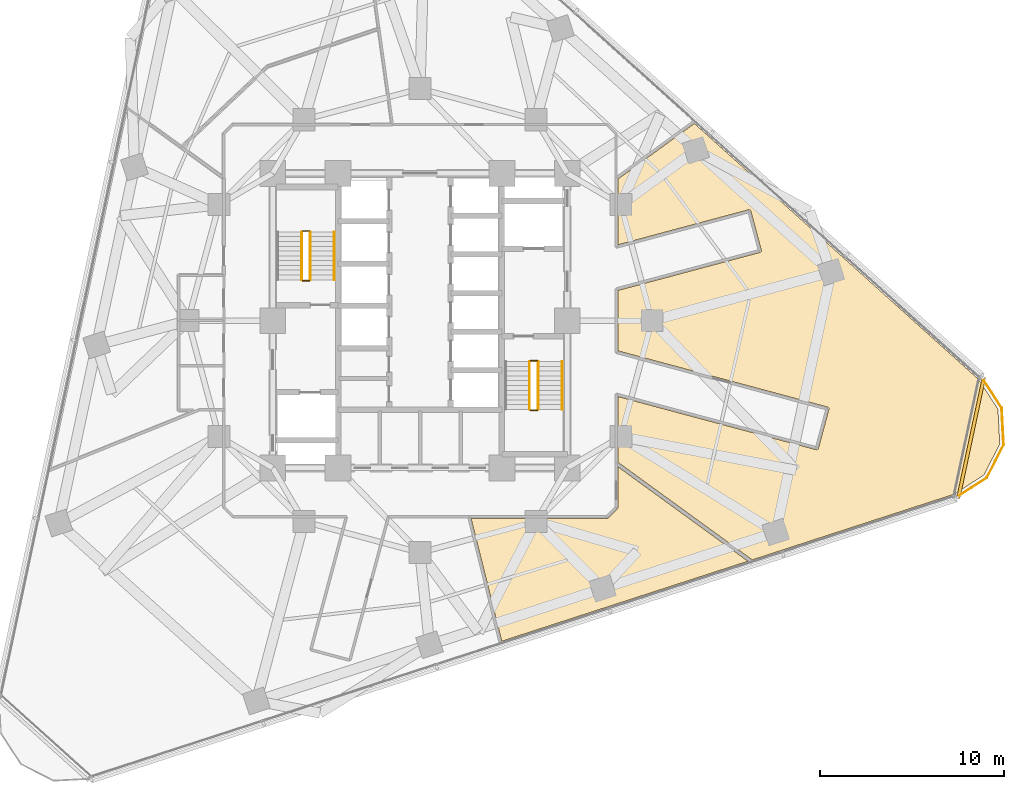
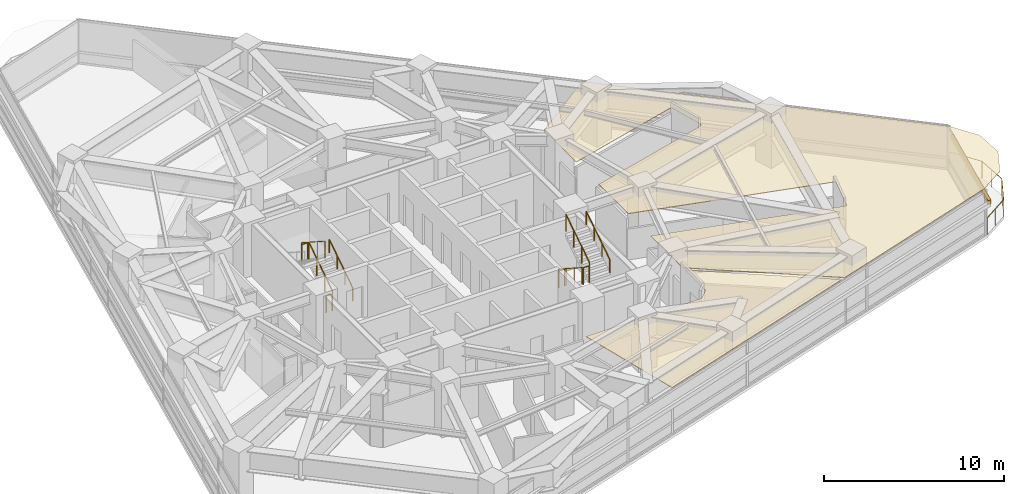
# One storey, part 13 of 14: 11 railings, 2 coverings, 1 shading device.
"""IFC4 building model written with IfcOpenShell, lengths in metres."""

from ifc_helpers import new_model, si_unit, direction, frame, origin, origin_2d, place, context, subcontext, project, spatial, polyline, rectangle, circle, outline, extrude, material, layer, layer_set, type_object, element, save


model = new_model("IFC4")

# Units and contexts
model_context = context("Model", 3, precision=1e-05, world=origin(), true_north=direction((0.0, 1.0)))
body_context = subcontext(model_context, "Body", "Model", "MODEL_VIEW")
ifc_project = project(units=[si_unit("LENGTHUNIT", "METRE"), si_unit("AREAUNIT", "SQUARE_METRE"), si_unit("VOLUMEUNIT", "CUBIC_METRE"), si_unit("PLANEANGLEUNIT", "RADIAN"), si_unit("MASSUNIT", "GRAM", prefix="KILO")], contexts=[model_context])

# Site, building, storey
site_placement = place(None, origin())
site = spatial("IfcSite", under=ifc_project, at=site_placement, CompositionType="ELEMENT")
building_placement = place(site_placement, origin())
building = spatial("IfcBuilding", under=site, at=building_placement, Name="Terralouvre Media Tower", CompositionType="ELEMENT")
storey_placement = place(building_placement, frame((0.0, 0.0, 116.199951171875)))
storey = spatial("IfcBuildingStorey", under=building, at=storey_placement, Name="L29", CompositionType="ELEMENT", Elevation=116.199951171875)

# Coverings
ifc_material_1 = material(Name="Perforated aluminium acoustic ceiling baffle", Category="aluminium")
ifc_layer_1 = layer(ifc_material_1, 0.0400390625, Name="Perforated Acoustic Metal Tile Ceiling CL-AC1")
ifc_layer_set_1 = layer_set([ifc_layer_1], Name="Perforated aluminium acoustic ceiling baffle")
covering_type = type_object("IfcCoveringType", Name="Perforated Acoustic Metal Tile Ceiling CL-AC1", PredefinedType="CEILING", material=ifc_layer_set_1)
covering_1_placement = place(storey_placement, frame((0.0, 0.0, 2.97998046875), z_axis=(0.0, 0.0, 1.0), x_axis=(0.951056516295, 0.309016994375, 0.0)))
element("IfcCovering", 1, at=covering_1_placement, inside=storey, type_object=covering_type, Name="L29 Syndication Desk Office 1 Acoustic Ceiling", PredefinedType="CEILING", context=body_context, shape_type="SweptSolid", body=[
    extrude(outline(polyline([(11.497802734375, 0.5986328125), (18.837158203125, 0.214111328125), (18.846923828125, 0.213134765625), (18.856689453125, 0.211181640625), (18.865966796875, 0.208251953125), (18.875, 0.204345703125), (18.8837890625, 0.19970703125), (18.891845703125, 0.1943359375), (18.8994140625, 0.18798828125), (18.90625, 0.18115234375), (18.91259765625, 0.173583984375), (18.91796875, 0.165283203125), (18.922607421875, 0.15673828125), (18.92626953125, 0.147705078125), (18.928955078125, 0.13818359375), (18.930908203125, 0.12841796875), (18.931884765625, 0.11865234375), (18.931884765625, 0.10888671875), (18.81640625, -2.087890625), (18.8154296875, -2.09765625), (18.8134765625, -2.107177734375), (18.810546875, -2.11669921875), (18.806640625, -2.125732421875), (18.802001953125, -2.13427734375), (18.796630859375, -2.142578125), (18.790283203125, -2.150146484375), (18.783447265625, -2.156982421875), (18.77587890625, -2.163330078125), (18.767578125, -2.16845703125), (18.759033203125, -2.173095703125), (18.75, -2.1767578125), (18.740478515625, -2.1796875), (18.730712890625, -2.181640625), (18.720947265625, -2.1826171875), (18.711181640625, -2.1826171875), (10.730224609375, -1.763916015625), (9.717529296875, -4.880126953125), (19.60791015625, -11.302734375), (19.61572265625, -11.30859375), (19.623046875, -11.31494140625), (19.6298828125, -11.322265625), (19.6357421875, -11.330078125), (19.640869140625, -11.33837890625), (19.645263671875, -11.34716796875), (19.648681640625, -11.3564453125), (19.651123046875, -11.36572265625), (19.65283203125, -11.37548828125), (19.6533203125, -11.38525390625), (19.653076171875, -11.39501953125), (19.651611328125, -11.40478515625), (19.6494140625, -11.414306640625), (19.646240234375, -11.423828125), (19.64208984375, -11.4326171875), (19.63720703125, -11.441162109375), (18.4384765625, -13.285888671875), (18.4326171875, -13.2939453125), (18.42626953125, -13.30126953125), (18.4189453125, -13.307861328125), (18.4111328125, -13.31396484375), (18.40283203125, -13.319091796875), (18.39404296875, -13.3232421875), (18.384765625, -13.32666015625), (18.37548828125, -13.329345703125), (18.36572265625, -13.330810546875), (18.35595703125, -13.33154296875), (18.34619140625, -13.3310546875), (18.33642578125, -13.329833984375), (18.326904296875, -13.327392578125), (18.317626953125, -13.324462890625), (18.30859375, -13.3203125), (18.300048828125, -13.3154296875), (8.949951171875, -7.242431640625), (7.848388671875, -10.6328125), (13.152099609375, -17.93212890625), (24.690673828125, -17.932373046875), (26.546630859375, -17.435302734375), (27.882568359375, -16.0986328125), (28.371826171875, -14.27197265625), (27.87548828125, -12.417236328125), (17.486572265625, 5.576904296875), (12.599365234375, 3.98876953125), (11.497802734375, 0.5986328125)])), origin(), (0.0, 0.0, 1.0), 0.0400390625),
])
covering_2_placement = place(storey_placement, frame((0.0, 0.0, 2.97998046875), z_axis=(0.0, 0.0, 1.0), x_axis=(0.951056516295, 0.309016994375, 0.0)))
element("IfcCovering", 2, at=covering_2_placement, inside=storey, type_object=covering_type, Name="L29 Media Club Panoramic Lounge 3 Acoustic Ceiling", PredefinedType="CEILING", context=body_context, shape_type="SweptSolid", body=[
    extrude(outline(polyline([(7.08740234375, -12.97509765625), (7.083740234375, -12.984375), (7.07958984375, -12.9931640625), (7.07421875, -13.00146484375), (7.068359375, -13.00927734375), (7.0615234375, -13.016357421875), (7.05419921875, -13.022705078125), (7.046142578125, -13.0283203125), (7.03759765625, -13.033447265625), (6.407470703125, -13.354248046875), (6.398681640625, -13.3583984375), (6.389404296875, -13.361572265625), (6.379638671875, -13.36376953125), (6.3701171875, -13.364990234375), (6.360107421875, -13.365234375), (6.350341796875, -13.364501953125), (6.3408203125, -13.363037109375), (6.331298828125, -13.3603515625), (-0.675048828125, -11.083740234375), (-1.153564453125, -17.931884765625), (12.90478515625, -17.931884765625), (7.77197265625, -10.867919921875), (7.08740234375, -12.97509765625)])), origin(), (0.0, 0.0, 1.0), 0.0400390625),
])

# Railings
ifc_material_2 = material(Name="Stainless steel 316 handrail and balustrade", Category="steel")
ifc_layer_2 = layer(ifc_material_2, 0.06005859375, Name="Roof Edge Safety Guardrail GR-ROOF1")
ifc_layer_set_2 = layer_set([ifc_layer_2], Name="Stainless steel 316 handrail and balustrade")
railing_type_1 = type_object("IfcRailingType", Name="Roof Edge Safety Guardrail GR-ROOF1", PredefinedType="GUARDRAIL", material=ifc_layer_set_2)
railing_1_placement = place(storey_placement, frame((29.105224609375, -9.6201171875, 0.0)))
element("IfcRailing", 3, at=railing_1_placement, inside=storey, type_object=railing_type_1, Name="L29 Wind-Corner Perimeter Safety Guardrail C1", PredefinedType="GUARDRAIL", context=body_context, shape_type="SweptSolid", body=[
    extrude(circle(Radius=0.02099609375, at=origin_2d()), frame((0.0, 0.0, 1.12890625), z_axis=(0.838760176544, 0.544501025016, 0.0), x_axis=(-0.544501025016, 0.838760176544, 0.0)), (0.0, 0.0, 1.0), 2.0078125),
    extrude(circle(Radius=0.02099609375, at=origin_2d()), frame((1.68408203125, 1.09326171875, 1.12890625), z_axis=(0.454107952828, 0.890946669099, 0.0), x_axis=(-0.890946669099, 0.454107952828, 0.0)), (0.0, 0.0, 1.0), 2.007568359375),
    extrude(circle(Radius=0.02099609375, at=origin_2d()), frame((2.595703125, 2.8818359375, 1.12890625), z_axis=(-0.052412032372, 0.998625544868, 0.0), x_axis=(-0.998625544868, -0.052412032372, 0.0)), (0.0, 0.0, 1.0), 2.007568359375),
    extrude(circle(Radius=0.02099609375, at=origin_2d()), frame((2.490478515625, 4.88671875, 1.12890625), z_axis=(-0.544868673015, 0.838521394579, 0.0), x_axis=(-0.838521394579, -0.544868673015, 0.0)), (0.0, 0.0, 1.0), 2.0078125),
    extrude(circle(Radius=0.01904296875, at=origin_2d()), origin(), (0.0, 0.0, 1.0), 1.10791015625),
    extrude(circle(Radius=0.01904296875, at=origin_2d()), frame((0.842041015625, 0.546630859375, 0.0)), (0.0, 0.0, 1.0), 1.10791015625),
    extrude(circle(Radius=0.01904296875, at=origin_2d()), frame((1.68408203125, 1.09326171875, 0.0)), (0.0, 0.0, 1.0), 1.10791015625),
    extrude(circle(Radius=0.01904296875, at=origin_2d()), frame((2.139892578125, 1.987548828125, 0.0)), (0.0, 0.0, 1.0), 1.10791015625),
    extrude(circle(Radius=0.01904296875, at=origin_2d()), frame((2.595703125, 2.8818359375, 0.0)), (0.0, 0.0, 1.0), 1.10791015625),
    extrude(circle(Radius=0.01904296875, at=origin_2d()), frame((2.54296875, 3.88427734375, 0.0)), (0.0, 0.0, 1.0), 1.10791015625),
    extrude(circle(Radius=0.01904296875, at=origin_2d()), frame((2.490478515625, 4.88671875, 0.0)), (0.0, 0.0, 1.0), 1.10791015625),
    extrude(circle(Radius=0.01904296875, at=origin_2d()), frame((1.943359375, 5.728515625, 0.0)), (0.0, 0.0, 1.0), 1.10791015625),
    extrude(circle(Radius=0.01904296875, at=origin_2d()), frame((1.396484375, 6.5703125, 0.0)), (0.0, 0.0, 1.0), 1.10791015625),
])
ifc_material_3 = material(Name="Stainless steel 316 handrail and balustrade", Category="steel")
ifc_layer_3 = layer(ifc_material_3, 0.050048828125, Name="Stair Flight Wall Handrail HR-INT1")
ifc_layer_set_3 = layer_set([ifc_layer_3], Name="Stainless steel 316 handrail and balustrade")
railing_type_2 = type_object("IfcRailingType", Name="Stair Flight Wall Handrail HR-INT1", PredefinedType="HANDRAIL", material=ifc_layer_set_3)
railing_2_placement = place(storey_placement, frame((-4.64990234375, 2.219970703125, 0.168212890625)))
element("IfcRailing", 4, at=railing_2_placement, inside=storey, type_object=railing_type_2, Name="L29 ST-01 stair handrail 1", PredefinedType="HANDRAIL", context=body_context, shape_type="SweptSolid", body=[
    extrude(circle(Radius=0.02392578125, at=origin_2d()), frame((0.0, 0.0, 0.8759765625), z_axis=(0.0, 0.839648411786, 0.543130320075), x_axis=(-1.0, 0.0, 0.0)), (0.0, 0.0, 1.0), 3.0966796875),
    extrude(circle(Radius=0.02099609375, at=origin_2d()), origin(), (0.0, 0.0, 1.0), 0.851806640625),
    extrude(circle(Radius=0.02099609375, at=origin_2d()), frame((0.0, 0.86669921875, 0.560546875)), (0.0, 0.0, 1.0), 0.851806640625),
    extrude(circle(Radius=0.02099609375, at=origin_2d()), frame((0.0, 1.7333984375, 1.121337890625)), (0.0, 0.0, 1.0), 0.851806640625),
    extrude(circle(Radius=0.02099609375, at=origin_2d()), frame((0.0, 2.60009765625, 1.681884765625)), (0.0, 0.0, 1.0), 0.851806640625),
])
railing_3_placement = place(storey_placement, frame((7.72998046875, -4.820068359375, 2.018310546875)))
element("IfcRailing", 5, at=railing_3_placement, inside=storey, type_object=railing_type_2, Name="L29 ST-02 stair handrail 2", PredefinedType="HANDRAIL", context=body_context, shape_type="SweptSolid", body=[
    extrude(circle(Radius=0.02392578125, at=origin_2d()), frame((0.0, 0.0, 0.8759765625), z_axis=(0.0, 0.839684365666, 0.543074733399), x_axis=(-1.0, 0.0, 0.0)), (0.0, 0.0, 1.0), 3.096435546875),
    extrude(circle(Radius=0.02099609375, at=origin_2d()), origin(), (0.0, 0.0, 1.0), 0.851806640625),
    extrude(circle(Radius=0.02099609375, at=origin_2d()), frame((0.0, 0.86669921875, 0.560546875)), (0.0, 0.0, 1.0), 0.851806640625),
    extrude(circle(Radius=0.02099609375, at=origin_2d()), frame((0.0, 1.7333984375, 1.12109375)), (0.0, 0.0, 1.0), 0.851806640625),
    extrude(circle(Radius=0.02099609375, at=origin_2d()), frame((0.0, 2.60009765625, 1.681640625)), (0.0, 0.0, 1.0), 0.851806640625),
])
ifc_material_4 = material(Name="Stainless steel 316 handrail and balustrade", Category="steel")
ifc_layer_4 = layer(ifc_material_4, 0.050048828125, Name="Stairwell Safety Guardrail GR-INT1")
ifc_layer_set_4 = layer_set([ifc_layer_4], Name="Stainless steel 316 handrail and balustrade")
railing_type_3 = type_object("IfcRailingType", Name="Stairwell Safety Guardrail GR-INT1", PredefinedType="GUARDRAIL", material=ifc_layer_set_4)
railing_4_placement = place(storey_placement, frame((-5.949951171875, 2.219970703125, 0.168212890625)))
element("IfcRailing", 6, at=railing_4_placement, inside=storey, type_object=railing_type_3, Name="L29 ST-01 stair guard 1", PredefinedType="GUARDRAIL", context=body_context, shape_type="SweptSolid", body=[
    extrude(circle(Radius=0.02392578125, at=origin_2d()), frame((0.0, 0.0, 1.1259765625), z_axis=(0.0, 0.839648411786, 0.543130320075), x_axis=(-1.0, 0.0, 0.0)), (0.0, 0.0, 1.0), 3.0966796875),
    extrude(circle(Radius=0.02099609375, at=origin_2d()), origin(), (0.0, 0.0, 1.0), 1.101806640625),
    extrude(circle(Radius=0.02099609375, at=origin_2d()), frame((0.0, 0.86669921875, 0.560546875)), (0.0, 0.0, 1.0), 1.101806640625),
    extrude(circle(Radius=0.02099609375, at=origin_2d()), frame((0.0, 1.7333984375, 1.121337890625)), (0.0, 0.0, 1.0), 1.101806640625),
    extrude(circle(Radius=0.02099609375, at=origin_2d()), frame((0.0, 2.60009765625, 1.681884765625)), (0.0, 0.0, 1.0), 1.101806640625),
])
railing_5_placement = place(storey_placement, frame((-6.0, 4.8701171875, 1.85009765625)))
element("IfcRailing", 7, at=railing_5_placement, inside=storey, type_object=railing_type_3, Name="L29 ST-01 stair guard 2", PredefinedType="GUARDRAIL", context=body_context, shape_type="SweptSolid", body=[
    extrude(circle(Radius=0.02392578125, at=origin_2d()), frame((0.0, 0.0, 1.1259765625), z_axis=(-1.0, 0.0, 0.0), x_axis=(0.0, -1.0, 0.0)), (0.0, 0.0, 1.0), 0.3798828125),
    extrude(circle(Radius=0.02099609375, at=origin_2d()), origin(), (0.0, 0.0, 1.0), 1.101806640625),
    extrude(circle(Radius=0.02099609375, at=origin_2d()), frame((-0.3798828125, 0.0, 0.0)), (0.0, 0.0, 1.0), 1.101806640625),
])
railing_6_placement = place(storey_placement, frame((-6.429931640625, 4.820068359375, 2.018310546875)))
element("IfcRailing", 8, at=railing_6_placement, inside=storey, type_object=railing_type_3, Name="L29 ST-01 stair guard 3", PredefinedType="GUARDRAIL", context=body_context, shape_type="SweptSolid", body=[
    extrude(circle(Radius=0.02392578125, at=origin_2d()), frame((0.0, 0.0, 1.1259765625), z_axis=(0.0, -0.839684365666, 0.543074733399), x_axis=(1.0, 0.0, 0.0)), (0.0, 0.0, 1.0), 3.096435546875),
    extrude(circle(Radius=0.02099609375, at=origin_2d()), origin(), (0.0, 0.0, 1.0), 1.101806640625),
    extrude(circle(Radius=0.02099609375, at=origin_2d()), frame((0.0, -0.86669921875, 0.560546875)), (0.0, 0.0, 1.0), 1.101806640625),
    extrude(circle(Radius=0.02099609375, at=origin_2d()), frame((0.0, -1.7333984375, 1.12109375)), (0.0, 0.0, 1.0), 1.101806640625),
    extrude(circle(Radius=0.02099609375, at=origin_2d()), frame((0.0, -2.60009765625, 1.681640625)), (0.0, 0.0, 1.0), 1.101806640625),
])
railing_7_placement = place(storey_placement, frame((-6.0, 2.169921875, 0.0)))
element("IfcRailing", 9, at=railing_7_placement, inside=storey, type_object=railing_type_3, Name="L29 ST-01 stair guard 4", PredefinedType="GUARDRAIL", context=body_context, shape_type="SweptSolid", body=[
    extrude(circle(Radius=0.02392578125, at=origin_2d()), frame((0.0, 0.0, 1.1259765625), z_axis=(-1.0, 0.0, 0.0), x_axis=(0.0, -1.0, 0.0)), (0.0, 0.0, 1.0), 0.3798828125),
    extrude(circle(Radius=0.02099609375, at=origin_2d()), origin(), (0.0, 0.0, 1.0), 1.101806640625),
    extrude(circle(Radius=0.02099609375, at=origin_2d()), frame((-0.3798828125, 0.0, 0.0)), (0.0, 0.0, 1.0), 1.101806640625),
])
railing_8_placement = place(storey_placement, frame((5.949951171875, -2.219970703125, 0.168212890625)))
element("IfcRailing", 10, at=railing_8_placement, inside=storey, type_object=railing_type_3, Name="L29 ST-02 stair guard 1", PredefinedType="GUARDRAIL", context=body_context, shape_type="SweptSolid", body=[
    extrude(circle(Radius=0.02392578125, at=origin_2d()), frame((0.0, 0.0, 1.1259765625), z_axis=(0.0, -0.839648411786, 0.543130320075), x_axis=(1.0, 0.0, 0.0)), (0.0, 0.0, 1.0), 3.0966796875),
    extrude(circle(Radius=0.02099609375, at=origin_2d()), origin(), (0.0, 0.0, 1.0), 1.101806640625),
    extrude(circle(Radius=0.02099609375, at=origin_2d()), frame((0.0, -0.86669921875, 0.560546875)), (0.0, 0.0, 1.0), 1.101806640625),
    extrude(circle(Radius=0.02099609375, at=origin_2d()), frame((0.0, -1.7333984375, 1.121337890625)), (0.0, 0.0, 1.0), 1.101806640625),
    extrude(circle(Radius=0.02099609375, at=origin_2d()), frame((0.0, -2.60009765625, 1.681884765625)), (0.0, 0.0, 1.0), 1.101806640625),
])
railing_9_placement = place(storey_placement, frame((6.0, -4.8701171875, 1.85009765625)))
element("IfcRailing", 11, at=railing_9_placement, inside=storey, type_object=railing_type_3, Name="L29 ST-02 stair guard 2", PredefinedType="GUARDRAIL", context=body_context, shape_type="SweptSolid", body=[
    extrude(circle(Radius=0.02392578125, at=origin_2d()), frame((0.0, 0.0, 1.1259765625), z_axis=(1.0, 0.0, 0.0), x_axis=(0.0, 1.0, 0.0)), (0.0, 0.0, 1.0), 0.3798828125),
    extrude(circle(Radius=0.02099609375, at=origin_2d()), origin(), (0.0, 0.0, 1.0), 1.101806640625),
    extrude(circle(Radius=0.02099609375, at=origin_2d()), frame((0.3798828125, 0.0, 0.0)), (0.0, 0.0, 1.0), 1.101806640625),
])
railing_10_placement = place(storey_placement, frame((6.429931640625, -4.820068359375, 2.018310546875)))
element("IfcRailing", 12, at=railing_10_placement, inside=storey, type_object=railing_type_3, Name="L29 ST-02 stair guard 3", PredefinedType="GUARDRAIL", context=body_context, shape_type="SweptSolid", body=[
    extrude(circle(Radius=0.02392578125, at=origin_2d()), frame((0.0, 0.0, 1.1259765625), z_axis=(0.0, 0.839684365666, 0.543074733399), x_axis=(-1.0, 0.0, 0.0)), (0.0, 0.0, 1.0), 3.096435546875),
    extrude(circle(Radius=0.02099609375, at=origin_2d()), origin(), (0.0, 0.0, 1.0), 1.101806640625),
    extrude(circle(Radius=0.02099609375, at=origin_2d()), frame((0.0, 0.86669921875, 0.560546875)), (0.0, 0.0, 1.0), 1.101806640625),
    extrude(circle(Radius=0.02099609375, at=origin_2d()), frame((0.0, 1.7333984375, 1.12109375)), (0.0, 0.0, 1.0), 1.101806640625),
    extrude(circle(Radius=0.02099609375, at=origin_2d()), frame((0.0, 2.60009765625, 1.681640625)), (0.0, 0.0, 1.0), 1.101806640625),
])
railing_11_placement = place(storey_placement, frame((6.0, -2.169921875, 0.0)))
element("IfcRailing", 13, at=railing_11_placement, inside=storey, type_object=railing_type_3, Name="L29 ST-02 stair guard 4", PredefinedType="GUARDRAIL", context=body_context, shape_type="SweptSolid", body=[
    extrude(circle(Radius=0.02392578125, at=origin_2d()), frame((0.0, 0.0, 1.1259765625), z_axis=(1.0, 0.0, 0.0), x_axis=(0.0, 1.0, 0.0)), (0.0, 0.0, 1.0), 0.3798828125),
    extrude(circle(Radius=0.02099609375, at=origin_2d()), origin(), (0.0, 0.0, 1.0), 1.101806640625),
    extrude(circle(Radius=0.02099609375, at=origin_2d()), frame((0.3798828125, 0.0, 0.0)), (0.0, 0.0, 1.0), 1.101806640625),
])

# Shading device
ifc_material_5 = material(Name="Extruded terracotta baguette sunshade louvres", Category="masonry")
shading_device_type = type_object("IfcShadingDeviceType", Name="Terracotta Baguette Sunshade Louvre Screen TB-LV1", PredefinedType="USERDEFINED", material=ifc_material_5)
shading_device_placement = place(storey_placement, frame((29.935302734375, -6.363037109375, 2.02392578125), z_axis=(0.0, 0.0, 1.0), x_axis=(0.207911611348, 0.978147617626, 0.0)))
element("IfcShadingDevice", 14, at=shading_device_placement, inside=storey, type_object=shading_device_type, Name="CW-L29-C1 Terracotta Baguette Sunshade Louvre", ObjectType="BAGUETTE", PredefinedType="USERDEFINED", context=body_context, shape_type="SweptSolid", body=[
    extrude(rectangle(XDim=6.720458984375, YDim=0.179931640625, at=origin_2d()), origin(), (0.0, 0.0, 1.0), 0.280029296875),
])

save(model, "model.ifc")
